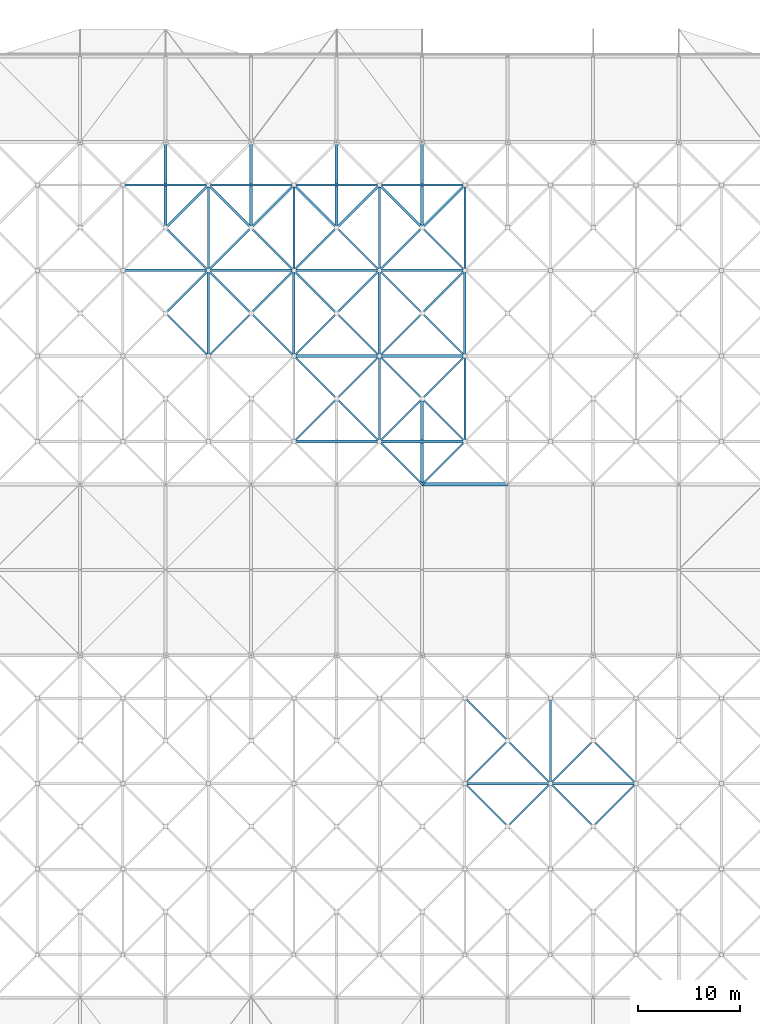
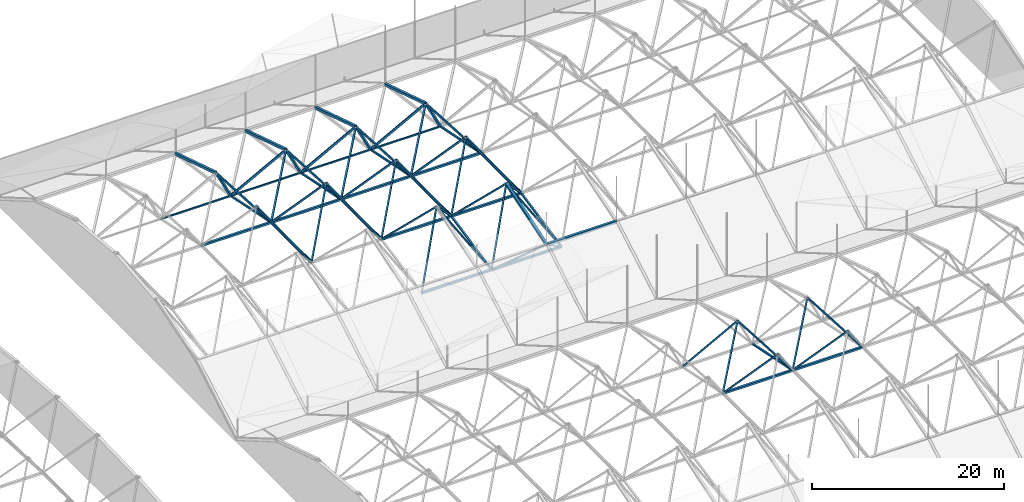
# One storey, part 12 of 111: 78 members.
"""IFC4 building model written with IfcOpenShell, lengths in metres."""

import ifcopenshell
import ifcopenshell.guid

model = None  # the IFC model being written
_history = None  # IfcOwnerHistory: only IFC2X3 demands one
_inside = {}  # id of a spatial element -> (the spatial element, [elements in it])
_under = {}  # id of a project, library or spatial element -> (it, [spatial elements below it])
_declared = {}  # id of a project -> (the project, [libraries it declares])
_typed = {}  # id of a type object -> (the type object, [elements of that type])
_made_of = {}  # id of a material, layer set ... -> (it, [elements and type objects made of it])


def new_model(schema):
    """Start an empty IFC model of exactly this schema.

    Asked for "IFC4X3", IfcOpenShell would pick the latest addendum, in which some entities
    have other attributes; the version numbers below select the first issue.
    IFC2X3 requires an IfcOwnerHistory on every rooted entity: one is made here for all.
    """
    global model, _history
    if schema == "IFC4X3":
        model = ifcopenshell.file(schema_version=(4, 3, 0, 0))
    else:
        model = ifcopenshell.file(schema=schema)
    _inside.clear()
    _under.clear()
    _declared.clear()
    _typed.clear()
    _made_of.clear()
    _history = None
    if model.schema == "IFC2X3":
        org = make("IfcOrganization", Name="unknown")
        user = make(
            "IfcPersonAndOrganization",
            ThePerson=make("IfcPerson", FamilyName="unknown"),
            TheOrganization=org,
        )
        app = make(
            "IfcApplication",
            ApplicationDeveloper=org,
            Version="unknown",
            ApplicationFullName="unknown",
            ApplicationIdentifier="unknown",
        )
        _history = make(
            "IfcOwnerHistory",
            OwningUser=user,
            OwningApplication=app,
            ChangeAction="ADDED",
            CreationDate=0,
        )
    return model


def make(cls, **values):
    """One entity of the class cls with the attributes given. An attribute that is None is left unset."""
    return model.create_entity(
        cls, **{name: value for name, value in values.items() if value is not None}
    )


def rooted(cls, **values):
    """An entity with a GlobalId (a new one), such as an element, a storey or a relation."""
    return make(cls, GlobalId=ifcopenshell.guid.new(), OwnerHistory=_history, **values)


def si_unit(unit_type, name, prefix=None):
    """IfcSIUnit, for example si_unit("LENGTHUNIT", "METRE", prefix="MILLI")."""
    return make("IfcSIUnit", UnitType=unit_type, Prefix=prefix, Name=name)


def assignment(units):
    """IfcUnitAssignment: the units of a project."""
    return None if units is None else make("IfcUnitAssignment", Units=units)


def point(xyz):
    """IfcCartesianPoint."""
    return None if xyz is None else make("IfcCartesianPoint", Coordinates=xyz)


def direction(xyz):
    """IfcDirection."""
    return None if xyz is None else make("IfcDirection", DirectionRatios=xyz)


def frame(location, z_axis=None, x_axis=None):
    """IfcAxis2Placement3D, a coordinate frame: its origin and axes. An axis left out is left unset."""
    return make(
        "IfcAxis2Placement3D",
        Location=point(location),
        Axis=direction(z_axis),
        RefDirection=direction(x_axis),
    )


def frame_2d(location, x_axis=None):
    """IfcAxis2Placement2D, a coordinate frame in the plane: its origin and x axis."""
    return make(
        "IfcAxis2Placement2D", Location=point(location), RefDirection=direction(x_axis)
    )


def origin():
    """The frame at (0, 0, 0) with its axes left unset."""
    return frame((0.0, 0.0, 0.0))


def origin_2d():
    """The frame at (0, 0) in the plane with its x axis left unset."""
    return frame_2d((0.0, 0.0))


def place(relative_to, where):
    """IfcLocalPlacement: puts the frame where relative to a parent placement (None: the world)."""
    return make(
        "IfcLocalPlacement", PlacementRelTo=relative_to, RelativePlacement=where
    )


def context(
    kind, dimensions, precision=None, world=None, true_north=None, identifier=None
):
    """IfcGeometricRepresentationContext, for example the 3D "Model" context."""
    return make(
        "IfcGeometricRepresentationContext",
        ContextIdentifier=identifier,
        ContextType=kind,
        CoordinateSpaceDimension=dimensions,
        Precision=precision,
        WorldCoordinateSystem=world,
        TrueNorth=true_north,
    )


def subcontext(parent, identifier, kind, view, scale=None):
    """IfcGeometricRepresentationSubContext, for example "Body" below "Model"."""
    return make(
        "IfcGeometricRepresentationSubContext",
        ContextIdentifier=identifier,
        ContextType=kind,
        ParentContext=parent,
        TargetScale=scale,
        TargetView=view,
    )


def project(units=None, contexts=None):
    """IfcProject with its units and contexts."""
    return rooted(
        "IfcProject",
        Name="project",
        RepresentationContexts=contexts,
        UnitsInContext=assignment(units),
    )


def spatial(cls, under=None, at=None, **own):
    """A site, building, storey or space (cls), placed at a placement, below another one or the project."""
    s = rooted(cls, ObjectPlacement=at, **own)
    if under is not None:
        _under.setdefault(under.id(), (under, []))[1].append(s)
    return s


def profile(cls, at=None, kind="AREA", **sizes):
    """A parametric profile (cls). Its sizes go by their IFC names, for example OverallWidth=200.0."""
    return make(cls, ProfileType=kind, Position=at, **sizes)


def hollow_rectangle(**sizes):
    """IfcRectangleHollowProfileDef."""
    return profile("IfcRectangleHollowProfileDef", **sizes)


def extrude(swept, where, along, depth):
    """IfcExtrudedAreaSolid: the profile swept, set in the frame where, extruded along a direction by depth."""
    return make(
        "IfcExtrudedAreaSolid",
        SweptArea=swept,
        Position=where,
        ExtrudedDirection=direction(along),
        Depth=depth,
    )


def shape(context_of_items, identifier, shape_type, items):
    """IfcShapeRepresentation: the items that make up one representation, for example the "Body"."""
    return make(
        "IfcShapeRepresentation",
        ContextOfItems=context_of_items,
        RepresentationIdentifier=identifier,
        RepresentationType=shape_type,
        Items=items,
    )


def material(Name=None, Category=None):
    """IfcMaterial."""
    return make("IfcMaterial", Name=Name, Category=Category)


def material_profile(
    of_material, cross_section, Name=None, Category=None, Priority=None
):
    """IfcMaterialProfile: a cross section and its material."""
    return make(
        "IfcMaterialProfile",
        Name=Name,
        Material=of_material,
        Profile=cross_section,
        Priority=Priority,
        Category=Category,
    )


def profile_set(profiles, Name=None, composite=None):
    """IfcMaterialProfileSet."""
    return make(
        "IfcMaterialProfileSet",
        Name=Name,
        MaterialProfiles=profiles,
        CompositeProfile=composite,
    )


def made_of(thing, what):
    """Note that an element or type object is made of a material, layer set ...; save() writes the relation."""
    if what is not None:
        _made_of.setdefault(what.id(), (what, []))[1].append(thing)
    return thing


def type_object(cls, material=None, **own):
    """A type object (cls), such as IfcWallType, which elements share."""
    return made_of(rooted(cls, **own), material)


def element(
    cls,
    number,
    at=None,
    inside=None,
    cuts=None,
    type_object=None,
    material=None,
    context=None,
    identifier="Body",
    shape_type=None,
    held_by="IfcProductDefinitionShape",
    body=None,
    shapes=None,
    **own,
):
    """One element of the class cls, such as IfcWall. Its Tag is "e" and its number.

    at: its placement. inside: the storey or other place that contains it. cuts: it is an
    opening in that element (IfcRelVoidsElement). A single representation is given by context,
    identifier, shape_type and body (its items); several are given by shapes. held_by: the class
    of the entity that holds the representations. save() writes the other relations.
    """
    e = rooted(cls, Tag="e%d" % number, ObjectPlacement=at, **own)
    if body is not None:
        shapes = [shape(context, identifier, shape_type, body)]
    if shapes is not None:
        e.Representation = make(held_by, Representations=shapes)
    if inside is not None:
        _inside.setdefault(inside.id(), (inside, []))[1].append(e)
    if cuts is not None:
        rooted(
            "IfcRelVoidsElement", RelatingBuildingElement=cuts, RelatedOpeningElement=e
        )
    if type_object is not None:
        _typed.setdefault(type_object.id(), (type_object, []))[1].append(e)
    return made_of(e, material)


def aggregate(whole, parts):
    """IfcRelAggregates: a whole, such as a stair, and the parts it consists of."""
    return rooted("IfcRelAggregates", RelatingObject=whole, RelatedObjects=parts)


def save(model, path):
    """Write the relations noted so far, then the file.

    IfcRelAggregates (storeys below a building ...), IfcRelContainedInSpatialStructure (elements
    in a storey), IfcRelDefinesByType, IfcRelAssociatesMaterial and IfcRelDeclares: one each for
    every whole, place, type object, material and project.
    """
    for whole, parts in _under.values():
        aggregate(whole, parts)
    for where, things in _inside.values():
        rooted(
            "IfcRelContainedInSpatialStructure",
            RelatedElements=things,
            RelatingStructure=where,
        )
    for kind, things in _typed.values():
        rooted("IfcRelDefinesByType", RelatedObjects=things, RelatingType=kind)
    for what, things in _made_of.values():
        rooted("IfcRelAssociatesMaterial", RelatedObjects=things, RelatingMaterial=what)
    for by, libraries in _declared.values():
        rooted("IfcRelDeclares", RelatingContext=by, RelatedDefinitions=libraries)
    model.write(path)


model = new_model("IFC4")

# Units and contexts
model_context = context("Model", 3, precision=1e-05, world=origin(), true_north=direction((0.0, 1.0)))
body_context = subcontext(model_context, "Body", "Model", "MODEL_VIEW")
ifc_project = project(units=[si_unit("LENGTHUNIT", "METRE"), si_unit("AREAUNIT", "SQUARE_METRE"), si_unit("VOLUMEUNIT", "CUBIC_METRE"), si_unit("PLANEANGLEUNIT", "RADIAN"), si_unit("MASSUNIT", "GRAM", prefix="KILO")], contexts=[model_context])

# Site, building, storey
site_placement = place(None, origin())
site = spatial("IfcSite", under=ifc_project, at=site_placement, CompositionType="ELEMENT")
building_placement = place(site_placement, origin())
building = spatial("IfcBuilding", under=site, at=building_placement, Name="Rain Tree Exposition and Congress Centre", CompositionType="ELEMENT")
storey_placement = place(building_placement, frame((0.0, 0.0, 19.5)))
storey = spatial("IfcBuildingStorey", under=building, at=storey_placement, Name="RF", CompositionType="ELEMENT", Elevation=19.5)

# Members
ifc_material_1 = material(Name="Steel S355J2H", Category="steel")
ifc_material_profile_1 = material_profile(ifc_material_1, hollow_rectangle(XDim=0.175048828125, YDim=0.175048828125, WallThickness=0.006103515625, at=origin_2d()), Name="RHS 175x175x6")
ifc_profile_set_1 = profile_set([ifc_material_profile_1], Name="Steel S355J2H")
member_type_1 = type_object("IfcMemberType", Name="Steel brace member RHS 175x175x6", PredefinedType="BRACE", material=ifc_profile_set_1)
member_1_placement = place(storey_placement, frame((189.0, 130.199951171875, 2.68896484375), z_axis=(0.494916318018, -0.494916318018, 0.714223827885), x_axis=(0.707106781187, 0.707106781187, 0.0)))
element("IfcMember", 1, at=member_1_placement, inside=storey, type_object=member_type_1, Name="Diagonal 557", PredefinedType="BRACE", context=body_context, shape_type="SweptSolid", body=[
    extrude(hollow_rectangle(XDim=0.175048828125, YDim=0.175048828125, WallThickness=0.006103515625, at=origin_2d()), origin(), (0.0, 0.0, 1.0), 8.486083984375),
])
member_2_placement = place(storey_placement, frame((189.0, 130.199951171875, 2.68896484375), z_axis=(0.531497919506, 0.531497919506, 0.65956040142), x_axis=(-0.707106781187, 0.707106781187, 0.0)))
element("IfcMember", 2, at=member_2_placement, inside=storey, type_object=member_type_1, Name="Diagonal 559", PredefinedType="BRACE", context=body_context, shape_type="SweptSolid", body=[
    extrude(hollow_rectangle(XDim=0.175048828125, YDim=0.175048828125, WallThickness=0.006103515625, at=origin_2d()), origin(), (0.0, 0.0, 1.0), 7.902099609375),
])
member_3_placement = place(storey_placement, frame((197.39990234375, 130.199951171875, 2.68896484375), z_axis=(-0.494916318018, -0.494916318018, 0.714223827885), x_axis=(0.707106781187, -0.707106781187, 0.0)))
element("IfcMember", 3, at=member_3_placement, inside=storey, type_object=member_type_1, Name="Diagonal 562", PredefinedType="BRACE", context=body_context, shape_type="SweptSolid", body=[
    extrude(hollow_rectangle(XDim=0.175048828125, YDim=0.175048828125, WallThickness=0.006103515625, at=origin_2d()), origin(), (0.0, 0.0, 1.0), 8.486083984375),
])
member_4_placement = place(storey_placement, frame((197.39990234375, 130.199951171875, 2.68896484375), z_axis=(0.494938039954, -0.494909271177, 0.714213658445), x_axis=(0.70708622964, 0.707127332136, 0.0)))
element("IfcMember", 4, at=member_4_placement, inside=storey, type_object=member_type_1, Name="Diagonal 563", PredefinedType="BRACE", context=body_context, shape_type="SweptSolid", body=[
    extrude(hollow_rectangle(XDim=0.175048828125, YDim=0.175048828125, WallThickness=0.006103515625, at=origin_2d()), origin(), (0.0, 0.0, 1.0), 8.486328125),
])
member_5_placement = place(storey_placement, frame((197.39990234375, 130.199951171875, 2.68896484375), z_axis=(-0.531497919506, 0.531497919506, 0.65956040142), x_axis=(-0.707106781187, -0.707106781187, 0.0)))
element("IfcMember", 5, at=member_5_placement, inside=storey, type_object=member_type_1, Name="Diagonal 564", PredefinedType="BRACE", context=body_context, shape_type="SweptSolid", body=[
    extrude(hollow_rectangle(XDim=0.175048828125, YDim=0.175048828125, WallThickness=0.006103515625, at=origin_2d()), origin(), (0.0, 0.0, 1.0), 7.902099609375),
])
member_6_placement = place(storey_placement, frame((197.39990234375, 130.199951171875, 2.68896484375), z_axis=(0.531520086899, 0.531489191753, 0.659549570747), x_axis=(-0.70708622964, 0.707127332136, 0.0)))
element("IfcMember", 6, at=member_6_placement, inside=storey, type_object=member_type_1, Name="Diagonal 565", PredefinedType="BRACE", context=body_context, shape_type="SweptSolid", body=[
    extrude(hollow_rectangle(XDim=0.175048828125, YDim=0.175048828125, WallThickness=0.006103515625, at=origin_2d()), origin(), (0.0, 0.0, 1.0), 7.90234375),
])
member_7_placement = place(storey_placement, frame((205.800048828125, 130.199951171875, 2.68896484375), z_axis=(-0.494916318018, -0.494916318018, 0.714223827885), x_axis=(0.707106781187, -0.707106781187, 0.0)))
element("IfcMember", 7, at=member_7_placement, inside=storey, type_object=member_type_1, Name="Diagonal 568", PredefinedType="BRACE", context=body_context, shape_type="SweptSolid", body=[
    extrude(hollow_rectangle(XDim=0.175048828125, YDim=0.175048828125, WallThickness=0.006103515625, at=origin_2d()), origin(), (0.0, 0.0, 1.0), 8.486083984375),
])
member_8_placement = place(storey_placement, frame((205.800048828125, 130.199951171875, 2.68896484375), z_axis=(-0.531497919506, 0.531497919506, 0.65956040142), x_axis=(-0.707106781187, -0.707106781187, 0.0)))
element("IfcMember", 8, at=member_8_placement, inside=storey, type_object=member_type_1, Name="Diagonal 570", PredefinedType="BRACE", context=body_context, shape_type="SweptSolid", body=[
    extrude(hollow_rectangle(XDim=0.175048828125, YDim=0.175048828125, WallThickness=0.006103515625, at=origin_2d()), origin(), (0.0, 0.0, 1.0), 7.902099609375),
])
for number, where, z_axis, x_axis, name in (
    (9, (189.0, 138.60009765625, 0.965087890625), (0.459935103496, -0.459961839245, 0.75953591555), (0.707127332136, 0.70708622964, 0.0), "Diagonal 628"),
    (10, (172.199951171875, 163.800048828125, 0.965087890625), (0.459940759453, 0.459940759453, 0.759545255787), (-0.707106781187, 0.707106781187, 0.0), "Diagonal 831"),
):
    element("IfcMember", number, at=place(storey_placement, frame(where, z_axis=z_axis, x_axis=x_axis)), inside=storey, type_object=member_type_1, Name=name, PredefinedType="BRACE", context=body_context, shape_type="SweptSolid", body=[
        extrude(hollow_rectangle(XDim=0.175048828125, YDim=0.175048828125, WallThickness=0.006103515625, at=origin_2d()), origin(), (0.0, 0.0, 1.0), 9.131591796875),
    ])
member_9_placement = place(storey_placement, frame((180.60009765625, 163.800048828125, 0.965087890625), z_axis=(0.573737145755, -0.573737145755, 0.584509516742), x_axis=(0.707106781187, 0.707106781187, 0.0)))
element("IfcMember", 11, at=member_9_placement, inside=storey, type_object=member_type_1, Name="Diagonal 835", PredefinedType="BRACE", context=body_context, shape_type="SweptSolid", body=[
    extrude(hollow_rectangle(XDim=0.175048828125, YDim=0.175048828125, WallThickness=0.006103515625, at=origin_2d()), origin(), (0.0, 0.0, 1.0), 7.3203125),
])
for number, where, z_axis, x_axis, name in (
    (12, (180.60009765625, 163.800048828125, 0.965087890625), (-0.459961839245, 0.459935103496, 0.75953591555), (-0.70708622964, -0.707127332136, 0.0), "Diagonal 836"),
    (13, (180.60009765625, 163.800048828125, 0.965087890625), (0.459940759453, 0.459940759453, 0.759545255787), (-0.707106781187, 0.707106781187, 0.0), "Diagonal 837"),
):
    element("IfcMember", number, at=place(storey_placement, frame(where, z_axis=z_axis, x_axis=x_axis)), inside=storey, type_object=member_type_1, Name=name, PredefinedType="BRACE", context=body_context, shape_type="SweptSolid", body=[
        extrude(hollow_rectangle(XDim=0.175048828125, YDim=0.175048828125, WallThickness=0.006103515625, at=origin_2d()), origin(), (0.0, 0.0, 1.0), 9.131591796875),
    ])
member_10_placement = place(storey_placement, frame((189.0, 163.800048828125, 0.965087890625), z_axis=(-0.573737145755, -0.573737145755, 0.584509516742), x_axis=(0.707106781187, -0.707106781187, 0.0)))
element("IfcMember", 14, at=member_10_placement, inside=storey, type_object=member_type_1, Name="Diagonal 840", PredefinedType="BRACE", context=body_context, shape_type="SweptSolid", body=[
    extrude(hollow_rectangle(XDim=0.175048828125, YDim=0.175048828125, WallThickness=0.006103515625, at=origin_2d()), origin(), (0.0, 0.0, 1.0), 7.3203125),
])
member_11_placement = place(storey_placement, frame((189.0, 163.800048828125, 0.965087890625), z_axis=(-0.459940759453, 0.459940759453, 0.759545255787), x_axis=(-0.707106781187, -0.707106781187, 0.0)))
element("IfcMember", 15, at=member_11_placement, inside=storey, type_object=member_type_1, Name="Diagonal 842", PredefinedType="BRACE", context=body_context, shape_type="SweptSolid", body=[
    extrude(hollow_rectangle(XDim=0.175048828125, YDim=0.175048828125, WallThickness=0.006103515625, at=origin_2d()), origin(), (0.0, 0.0, 1.0), 9.131591796875),
])
for number, where, z_axis, x_axis, name in (
    (16, (163.800048828125, 172.199951171875, 2.68896484375), (-0.494916318018, 0.494916318018, 0.714223827885), (-0.707106781187, -0.707106781187, 0.0), "Diagonal 895"),
    (17, (163.800048828125, 172.199951171875, 2.68896484375), (0.494916318018, 0.494916318018, 0.714223827885), (-0.707106781187, 0.707106781187, 0.0), "Diagonal 896"),
):
    element("IfcMember", number, at=place(storey_placement, frame(where, z_axis=z_axis, x_axis=x_axis)), inside=storey, type_object=member_type_1, Name=name, PredefinedType="BRACE", context=body_context, shape_type="SweptSolid", body=[
        extrude(hollow_rectangle(XDim=0.175048828125, YDim=0.175048828125, WallThickness=0.006103515625, at=origin_2d()), origin(), (0.0, 0.0, 1.0), 8.486083984375),
    ])
member_12_placement = place(storey_placement, frame((172.199951171875, 172.199951171875, 2.68896484375), z_axis=(0.531497919506, -0.531497919506, 0.65956040142), x_axis=(0.707106781187, 0.707106781187, 0.0)))
element("IfcMember", 18, at=member_12_placement, inside=storey, type_object=member_type_1, Name="Diagonal 900", PredefinedType="BRACE", context=body_context, shape_type="SweptSolid", body=[
    extrude(hollow_rectangle(XDim=0.175048828125, YDim=0.175048828125, WallThickness=0.006103515625, at=origin_2d()), origin(), (0.0, 0.0, 1.0), 7.902099609375),
])
for number, where, z_axis, x_axis, name in (
    (19, (172.199951171875, 172.199951171875, 2.68896484375), (-0.494916318018, 0.494916318018, 0.714223827885), (-0.707106781187, -0.707106781187, 0.0), "Diagonal 901"),
    (20, (172.199951171875, 172.199951171875, 2.68896484375), (0.494916318018, 0.494916318018, 0.714223827885), (-0.707106781187, 0.707106781187, 0.0), "Diagonal 902"),
):
    element("IfcMember", number, at=place(storey_placement, frame(where, z_axis=z_axis, x_axis=x_axis)), inside=storey, type_object=member_type_1, Name=name, PredefinedType="BRACE", context=body_context, shape_type="SweptSolid", body=[
        extrude(hollow_rectangle(XDim=0.175048828125, YDim=0.175048828125, WallThickness=0.006103515625, at=origin_2d()), origin(), (0.0, 0.0, 1.0), 8.486083984375),
    ])
member_13_placement = place(storey_placement, frame((180.60009765625, 172.199951171875, 2.68896484375), z_axis=(-0.531520086899, -0.531489191753, 0.659549570747), x_axis=(0.70708622964, -0.707127332136, 0.0)))
element("IfcMember", 21, at=member_13_placement, inside=storey, type_object=member_type_1, Name="Diagonal 905", PredefinedType="BRACE", context=body_context, shape_type="SweptSolid", body=[
    extrude(hollow_rectangle(XDim=0.175048828125, YDim=0.175048828125, WallThickness=0.006103515625, at=origin_2d()), origin(), (0.0, 0.0, 1.0), 7.90234375),
])
member_14_placement = place(storey_placement, frame((180.60009765625, 172.199951171875, 2.68896484375), z_axis=(0.531497919506, -0.531497919506, 0.65956040142), x_axis=(0.707106781187, 0.707106781187, 0.0)))
element("IfcMember", 22, at=member_14_placement, inside=storey, type_object=member_type_1, Name="Diagonal 906", PredefinedType="BRACE", context=body_context, shape_type="SweptSolid", body=[
    extrude(hollow_rectangle(XDim=0.175048828125, YDim=0.175048828125, WallThickness=0.006103515625, at=origin_2d()), origin(), (0.0, 0.0, 1.0), 7.902099609375),
])
member_15_placement = place(storey_placement, frame((180.60009765625, 172.199951171875, 2.68896484375), z_axis=(-0.494938039954, 0.494909271177, 0.714213658445), x_axis=(-0.70708622964, -0.707127332136, 0.0)))
element("IfcMember", 23, at=member_15_placement, inside=storey, type_object=member_type_1, Name="Diagonal 907", PredefinedType="BRACE", context=body_context, shape_type="SweptSolid", body=[
    extrude(hollow_rectangle(XDim=0.175048828125, YDim=0.175048828125, WallThickness=0.006103515625, at=origin_2d()), origin(), (0.0, 0.0, 1.0), 8.486328125),
])
member_16_placement = place(storey_placement, frame((180.60009765625, 172.199951171875, 2.68896484375), z_axis=(0.494916318018, 0.494916318018, 0.714223827885), x_axis=(-0.707106781187, 0.707106781187, 0.0)))
element("IfcMember", 24, at=member_16_placement, inside=storey, type_object=member_type_1, Name="Diagonal 908", PredefinedType="BRACE", context=body_context, shape_type="SweptSolid", body=[
    extrude(hollow_rectangle(XDim=0.175048828125, YDim=0.175048828125, WallThickness=0.006103515625, at=origin_2d()), origin(), (0.0, 0.0, 1.0), 8.486083984375),
])
member_17_placement = place(storey_placement, frame((189.0, 172.199951171875, 2.68896484375), z_axis=(-0.531497919506, -0.531497919506, 0.65956040142), x_axis=(0.707106781187, -0.707106781187, 0.0)))
element("IfcMember", 25, at=member_17_placement, inside=storey, type_object=member_type_1, Name="Diagonal 911", PredefinedType="BRACE", context=body_context, shape_type="SweptSolid", body=[
    extrude(hollow_rectangle(XDim=0.175048828125, YDim=0.175048828125, WallThickness=0.006103515625, at=origin_2d()), origin(), (0.0, 0.0, 1.0), 7.902099609375),
])
member_18_placement = place(storey_placement, frame((189.0, 172.199951171875, 2.68896484375), z_axis=(-0.494916318018, 0.494916318018, 0.714223827885), x_axis=(-0.707106781187, -0.707106781187, 0.0)))
element("IfcMember", 26, at=member_18_placement, inside=storey, type_object=member_type_1, Name="Diagonal 913", PredefinedType="BRACE", context=body_context, shape_type="SweptSolid", body=[
    extrude(hollow_rectangle(XDim=0.175048828125, YDim=0.175048828125, WallThickness=0.006103515625, at=origin_2d()), origin(), (0.0, 0.0, 1.0), 8.486083984375),
])
ifc_material_2 = material(Name="Steel S355J2H", Category="steel")
ifc_material_profile_2 = material_profile(ifc_material_2, hollow_rectangle(XDim=0.199951171875, YDim=0.199951171875, WallThickness=0.009033203125, at=origin_2d()), Name="RHS 200x200x9")
ifc_profile_set_2 = profile_set([ifc_material_profile_2], Name="Steel S355J2H")
member_type_2 = type_object("IfcMemberType", Name="Steel brace member RHS 200x200x9", PredefinedType="BRACE", material=ifc_profile_set_2)
for number, where, z_axis, x_axis, name in (
    (27, (163.800048828125, 180.60009765625, 2.68896484375), (-0.494909271177, -0.494938039954, 0.714213658445), (0.707127332136, -0.70708622964, 0.0), "Diagonal 964"),
    (28, (163.800048828125, 180.60009765625, 2.68896484375), (0.494909271177, -0.494938039954, 0.714213658445), (0.707127332136, 0.70708622964, 0.0), "Diagonal 965"),
):
    element("IfcMember", number, at=place(storey_placement, frame(where, z_axis=z_axis, x_axis=x_axis)), inside=storey, type_object=member_type_2, Name=name, PredefinedType="BRACE", context=body_context, shape_type="SweptSolid", body=[
        extrude(hollow_rectangle(XDim=0.199951171875, YDim=0.199951171875, WallThickness=0.009033203125, at=origin_2d()), origin(), (0.0, 0.0, 1.0), 8.486328125),
    ])
for number, where, z_axis, x_axis, name in (
    (29, (163.800048828125, 180.60009765625, 2.68896484375), (-0.531497919506, 0.531497919506, 0.65956040142), (-0.707106781187, -0.707106781187, 0.0), "Diagonal 966"),
    (30, (163.800048828125, 180.60009765625, 2.68896484375), (0.531497919506, 0.531497919506, 0.65956040142), (-0.707106781187, 0.707106781187, 0.0), "Diagonal 967"),
):
    element("IfcMember", number, at=place(storey_placement, frame(where, z_axis=z_axis, x_axis=x_axis)), inside=storey, type_object=member_type_2, Name=name, PredefinedType="BRACE", context=body_context, shape_type="SweptSolid", body=[
        extrude(hollow_rectangle(XDim=0.199951171875, YDim=0.199951171875, WallThickness=0.009033203125, at=origin_2d()), origin(), (0.0, 0.0, 1.0), 7.902099609375),
    ])
for number, where, z_axis, x_axis, name in (
    (31, (172.199951171875, 180.60009765625, 2.68896484375), (-0.494909271177, -0.494938039954, 0.714213658445), (0.707127332136, -0.70708622964, 0.0), "Diagonal 970"),
    (32, (172.199951171875, 180.60009765625, 2.68896484375), (0.494909271177, -0.494938039954, 0.714213658445), (0.707127332136, 0.70708622964, 0.0), "Diagonal 971"),
):
    element("IfcMember", number, at=place(storey_placement, frame(where, z_axis=z_axis, x_axis=x_axis)), inside=storey, type_object=member_type_2, Name=name, PredefinedType="BRACE", context=body_context, shape_type="SweptSolid", body=[
        extrude(hollow_rectangle(XDim=0.199951171875, YDim=0.199951171875, WallThickness=0.009033203125, at=origin_2d()), origin(), (0.0, 0.0, 1.0), 8.486328125),
    ])
for number, where, z_axis, x_axis, name in (
    (33, (172.199951171875, 180.60009765625, 2.68896484375), (-0.531497919506, 0.531497919506, 0.65956040142), (-0.707106781187, -0.707106781187, 0.0), "Diagonal 972"),
    (34, (172.199951171875, 180.60009765625, 2.68896484375), (0.531497919506, 0.531497919506, 0.65956040142), (-0.707106781187, 0.707106781187, 0.0), "Diagonal 973"),
):
    element("IfcMember", number, at=place(storey_placement, frame(where, z_axis=z_axis, x_axis=x_axis)), inside=storey, type_object=member_type_2, Name=name, PredefinedType="BRACE", context=body_context, shape_type="SweptSolid", body=[
        extrude(hollow_rectangle(XDim=0.199951171875, YDim=0.199951171875, WallThickness=0.009033203125, at=origin_2d()), origin(), (0.0, 0.0, 1.0), 7.902099609375),
    ])
for number, where, z_axis, x_axis, name in (
    (35, (180.60009765625, 180.60009765625, 2.68896484375), (-0.494930993004, -0.494930993004, 0.71420348944), (0.707106781187, -0.707106781187, 0.0), "Diagonal 976"),
    (36, (180.60009765625, 180.60009765625, 2.68896484375), (0.494909271177, -0.494938039954, 0.714213658445), (0.707127332136, 0.70708622964, 0.0), "Diagonal 977"),
):
    element("IfcMember", number, at=place(storey_placement, frame(where, z_axis=z_axis, x_axis=x_axis)), inside=storey, type_object=member_type_2, Name=name, PredefinedType="BRACE", context=body_context, shape_type="SweptSolid", body=[
        extrude(hollow_rectangle(XDim=0.199951171875, YDim=0.199951171875, WallThickness=0.009033203125, at=origin_2d()), origin(), (0.0, 0.0, 1.0), 8.486328125),
    ])
member_19_placement = place(storey_placement, frame((180.60009765625, 180.60009765625, 2.68896484375), z_axis=(-0.531520086899, 0.531489191753, 0.659549570747), x_axis=(-0.70708622964, -0.707127332136, 0.0)))
element("IfcMember", 37, at=member_19_placement, inside=storey, type_object=member_type_2, Name="Diagonal 978", PredefinedType="BRACE", context=body_context, shape_type="SweptSolid", body=[
    extrude(hollow_rectangle(XDim=0.199951171875, YDim=0.199951171875, WallThickness=0.009033203125, at=origin_2d()), origin(), (0.0, 0.0, 1.0), 7.90234375),
])
member_20_placement = place(storey_placement, frame((180.60009765625, 180.60009765625, 2.68896484375), z_axis=(0.531497919506, 0.531497919506, 0.65956040142), x_axis=(-0.707106781187, 0.707106781187, 0.0)))
element("IfcMember", 38, at=member_20_placement, inside=storey, type_object=member_type_2, Name="Diagonal 979", PredefinedType="BRACE", context=body_context, shape_type="SweptSolid", body=[
    extrude(hollow_rectangle(XDim=0.199951171875, YDim=0.199951171875, WallThickness=0.009033203125, at=origin_2d()), origin(), (0.0, 0.0, 1.0), 7.902099609375),
])
member_21_placement = place(storey_placement, frame((189.0, 180.60009765625, 2.68896484375), z_axis=(-0.494909271177, -0.494938039954, 0.714213658445), x_axis=(0.707127332136, -0.70708622964, 0.0)))
element("IfcMember", 39, at=member_21_placement, inside=storey, type_object=member_type_2, Name="Diagonal 982", PredefinedType="BRACE", context=body_context, shape_type="SweptSolid", body=[
    extrude(hollow_rectangle(XDim=0.199951171875, YDim=0.199951171875, WallThickness=0.009033203125, at=origin_2d()), origin(), (0.0, 0.0, 1.0), 8.486328125),
])
member_22_placement = place(storey_placement, frame((189.0, 180.60009765625, 2.68896484375), z_axis=(-0.531497919506, 0.531497919506, 0.65956040142), x_axis=(-0.707106781187, -0.707106781187, 0.0)))
element("IfcMember", 40, at=member_22_placement, inside=storey, type_object=member_type_2, Name="Diagonal 984", PredefinedType="BRACE", context=body_context, shape_type="SweptSolid", body=[
    extrude(hollow_rectangle(XDim=0.199951171875, YDim=0.199951171875, WallThickness=0.009033203125, at=origin_2d()), origin(), (0.0, 0.0, 1.0), 7.902099609375),
])
ifc_material_3 = material(Name="Steel S355J2H", Category="steel")
ifc_material_profile_3 = material_profile(ifc_material_3, hollow_rectangle(XDim=0.25, YDim=0.25, WallThickness=0.006103515625, at=origin_2d()), Name="RHS 250x250x6")
ifc_profile_set_3 = profile_set([ifc_material_profile_3], Name="Steel S355J2H")
member_type_3 = type_object("IfcMemberType", Name="Steel brace member RHS 250x250x6", PredefinedType="BRACE", material=ifc_profile_set_3)
for number, where, z_axis, x_axis, name in (
    (41, (163.800048828125, 189.0, 0.965087890625), (-0.459940759453, -0.459940759453, 0.759545255787), (0.707106781187, -0.707106781187, 0.0), "Diagonal 1035"),
    (42, (163.800048828125, 189.0, 0.965087890625), (0.459940759453, -0.459940759453, 0.759545255787), (0.707106781187, 0.707106781187, 0.0), "Diagonal 1036"),
    (43, (172.199951171875, 189.0, 0.965087890625), (-0.459940759453, -0.459940759453, 0.759545255787), (0.707106781187, -0.707106781187, 0.0), "Diagonal 1041"),
    (44, (172.199951171875, 189.0, 0.965087890625), (0.459940759453, -0.459940759453, 0.759545255787), (0.707106781187, 0.707106781187, 0.0), "Diagonal 1042"),
    (45, (180.60009765625, 189.0, 0.965087890625), (-0.459961839245, -0.459935103496, 0.75953591555), (0.70708622964, -0.707127332136, 0.0), "Diagonal 1047"),
    (46, (180.60009765625, 189.0, 0.965087890625), (0.459940759453, -0.459940759453, 0.759545255787), (0.707106781187, 0.707106781187, 0.0), "Diagonal 1048"),
    (47, (189.0, 189.0, 0.965087890625), (-0.459940759453, -0.459940759453, 0.759545255787), (0.707106781187, -0.707106781187, 0.0), "Diagonal 1053"),
):
    element("IfcMember", number, at=place(storey_placement, frame(where, z_axis=z_axis, x_axis=x_axis)), inside=storey, type_object=member_type_3, Name=name, PredefinedType="BRACE", context=body_context, shape_type="SweptSolid", body=[
        extrude(hollow_rectangle(XDim=0.25, YDim=0.25, WallThickness=0.006103515625, at=origin_2d()), origin(), (0.0, 0.0, 1.0), 9.131591796875),
    ])
ifc_material_4 = material(Name="Steel S355J2H", Category="steel")
ifc_material_profile_4 = material_profile(ifc_material_4, hollow_rectangle(XDim=0.175048828125, YDim=0.175048828125, WallThickness=0.006103515625, at=origin_2d()), Name="RHS 175x175x6")
ifc_profile_set_4 = profile_set([ifc_material_profile_4], Name="Steel S355J2H")
member_type_4 = type_object("IfcMemberType", Name="Steel chord member RHS 175x175x6", PredefinedType="CHORD", material=ifc_profile_set_4)
member_23_placement = place(storey_placement, frame((155.39990234375, 189.0, 0.965087890625), z_axis=(1.0, 0.0, 0.0), x_axis=(0.0, 1.0, 0.0)))
element("IfcMember", 48, at=member_23_placement, inside=storey, type_object=member_type_4, Name="Bottom chord 1033", PredefinedType="CHORD", context=body_context, shape_type="SweptSolid", body=[
    extrude(hollow_rectangle(XDim=0.175048828125, YDim=0.175048828125, WallThickness=0.006103515625, at=origin_2d()), origin(), (0.0, 0.0, 1.0), 8.400146484375),
])
member_24_placement = place(storey_placement, frame((163.800048828125, 189.0, 0.965087890625), z_axis=(1.0, 0.0, 0.0), x_axis=(0.0, 1.0, 0.0)))
element("IfcMember", 49, at=member_24_placement, inside=storey, type_object=member_type_4, Name="Bottom chord 1039", PredefinedType="CHORD", context=body_context, shape_type="SweptSolid", body=[
    extrude(hollow_rectangle(XDim=0.175048828125, YDim=0.175048828125, WallThickness=0.006103515625, at=origin_2d()), origin(), (0.0, 0.0, 1.0), 8.39990234375),
])
member_25_placement = place(storey_placement, frame((172.199951171875, 189.0, 0.965087890625), z_axis=(1.0, 0.0, 0.0), x_axis=(0.0, 1.0, 0.0)))
element("IfcMember", 50, at=member_25_placement, inside=storey, type_object=member_type_4, Name="Bottom chord 1045", PredefinedType="CHORD", context=body_context, shape_type="SweptSolid", body=[
    extrude(hollow_rectangle(XDim=0.175048828125, YDim=0.175048828125, WallThickness=0.006103515625, at=origin_2d()), origin(), (0.0, 0.0, 1.0), 8.400146484375),
])
member_26_placement = place(storey_placement, frame((180.60009765625, 189.0, 0.965087890625), z_axis=(1.0, 0.0, 0.0), x_axis=(0.0, 1.0, 0.0)))
element("IfcMember", 51, at=member_26_placement, inside=storey, type_object=member_type_4, Name="Bottom chord 1051", PredefinedType="CHORD", context=body_context, shape_type="SweptSolid", body=[
    extrude(hollow_rectangle(XDim=0.175048828125, YDim=0.175048828125, WallThickness=0.006103515625, at=origin_2d()), origin(), (0.0, 0.0, 1.0), 8.39990234375),
])
ifc_material_5 = material(Name="Steel S355J2H", Category="steel")
ifc_material_profile_5 = material_profile(ifc_material_5, hollow_rectangle(XDim=0.199951171875, YDim=0.199951171875, WallThickness=0.009033203125, at=origin_2d()), Name="RHS 200x200x9")
ifc_profile_set_5 = profile_set([ifc_material_profile_5], Name="Steel S355J2H")
member_type_5 = type_object("IfcMemberType", Name="Steel chord member RHS 200x200x9", PredefinedType="CHORD", material=ifc_profile_set_5)
member_27_placement = place(storey_placement, frame((197.39990234375, 130.199951171875, 2.68896484375), z_axis=(0.0, 0.979585021781, -0.201030308914), x_axis=(-1.0, 0.0, 0.0)))
element("IfcMember", 52, at=member_27_placement, inside=storey, type_object=member_type_5, Name="Bottom chord 567", PredefinedType="CHORD", context=body_context, shape_type="SweptSolid", body=[
    extrude(hollow_rectangle(XDim=0.199951171875, YDim=0.199951171875, WallThickness=0.009033203125, at=origin_2d()), origin(), (0.0, 0.0, 1.0), 8.5751953125),
])
for number, where, z_axis, x_axis, name in (
    (53, (180.60009765625, 163.800048828125, 0.965087890625), (0.0, 0.979583871149, 0.20103591566), (-1.0, 0.0, 0.0), "Bottom chord 839"),
    (54, (189.0, 163.800048828125, 0.965087890625), (0.0, 0.979583871149, 0.20103591566), (-1.0, 0.0, 0.0), "Bottom chord 845"),
    (55, (163.800048828125, 180.60009765625, 2.68896484375), (0.0, 0.979583871149, -0.20103591566), (-1.0, 0.0, 0.0), "Bottom chord 969"),
    (56, (172.199951171875, 180.60009765625, 2.68896484375), (0.0, 0.979583871149, -0.20103591566), (-1.0, 0.0, 0.0), "Bottom chord 975"),
    (57, (180.60009765625, 180.60009765625, 2.68896484375), (0.0, 0.979583871149, -0.20103591566), (-1.0, 0.0, 0.0), "Bottom chord 981"),
    (58, (189.0, 180.60009765625, 2.68896484375), (0.0, 0.979583871149, -0.20103591566), (-1.0, 0.0, 0.0), "Bottom chord 987"),
):
    element("IfcMember", number, at=place(storey_placement, frame(where, z_axis=z_axis, x_axis=x_axis)), inside=storey, type_object=member_type_5, Name=name, PredefinedType="CHORD", context=body_context, shape_type="SweptSolid", body=[
        extrude(hollow_rectangle(XDim=0.199951171875, YDim=0.199951171875, WallThickness=0.009033203125, at=origin_2d()), origin(), (0.0, 0.0, 1.0), 8.574951171875),
    ])
ifc_material_6 = material(Name="Steel S355J2H", Category="steel")
ifc_material_profile_6 = material_profile(ifc_material_6, hollow_rectangle(XDim=0.25, YDim=0.25, WallThickness=0.006103515625, at=origin_2d()), Name="RHS 250x250x6")
ifc_profile_set_6 = profile_set([ifc_material_profile_6], Name="Steel S355J2H")
member_type_6 = type_object("IfcMemberType", Name="Steel chord member RHS 250x250x6", PredefinedType="CHORD", material=ifc_profile_set_6)
member_28_placement = place(storey_placement, frame((189.0, 130.199951171875, 2.68896484375), z_axis=(1.0, 0.0, 0.0), x_axis=(0.0, 1.0, 0.0)))
element("IfcMember", 59, at=member_28_placement, inside=storey, type_object=member_type_6, Name="Bottom chord 560", PredefinedType="CHORD", context=body_context, shape_type="SweptSolid", body=[
    extrude(hollow_rectangle(XDim=0.25, YDim=0.25, WallThickness=0.006103515625, at=origin_2d()), origin(), (0.0, 0.0, 1.0), 8.39990234375),
])
for number, where, z_axis, x_axis, name in (
    (60, (197.39990234375, 130.199951171875, 2.68896484375), (1.0, 0.0, 0.0), (0.0, 1.0, 0.0), "Bottom chord 566"),
    (61, (172.199951171875, 163.800048828125, 0.965087890625), (1.0, 0.0, 0.0), (0.0, 1.0, 0.0), "Bottom chord 832"),
):
    element("IfcMember", number, at=place(storey_placement, frame(where, z_axis=z_axis, x_axis=x_axis)), inside=storey, type_object=member_type_6, Name=name, PredefinedType="CHORD", context=body_context, shape_type="SweptSolid", body=[
        extrude(hollow_rectangle(XDim=0.25, YDim=0.25, WallThickness=0.006103515625, at=origin_2d()), origin(), (0.0, 0.0, 1.0), 8.400146484375),
    ])
member_29_placement = place(storey_placement, frame((180.60009765625, 163.800048828125, 0.965087890625), z_axis=(1.0, 0.0, 0.0), x_axis=(0.0, 1.0, 0.0)))
element("IfcMember", 62, at=member_29_placement, inside=storey, type_object=member_type_6, Name="Bottom chord 838", PredefinedType="CHORD", context=body_context, shape_type="SweptSolid", body=[
    extrude(hollow_rectangle(XDim=0.25, YDim=0.25, WallThickness=0.006103515625, at=origin_2d()), origin(), (0.0, 0.0, 1.0), 8.39990234375),
])
for number, where, z_axis, x_axis, name in (
    (63, (163.800048828125, 172.199951171875, 2.68896484375), (0.0, 1.0, 0.0), (-1.0, 0.0, 0.0), "Bottom chord 898"),
    (64, (172.199951171875, 172.199951171875, 2.68896484375), (1.0, 0.0, 0.0), (0.0, 1.0, 0.0), "Bottom chord 903"),
    (65, (172.199951171875, 172.199951171875, 2.68896484375), (0.0, 1.0, 0.0), (-1.0, 0.0, 0.0), "Bottom chord 904"),
):
    element("IfcMember", number, at=place(storey_placement, frame(where, z_axis=z_axis, x_axis=x_axis)), inside=storey, type_object=member_type_6, Name=name, PredefinedType="CHORD", context=body_context, shape_type="SweptSolid", body=[
        extrude(hollow_rectangle(XDim=0.25, YDim=0.25, WallThickness=0.006103515625, at=origin_2d()), origin(), (0.0, 0.0, 1.0), 8.400146484375),
    ])
member_30_placement = place(storey_placement, frame((180.60009765625, 172.199951171875, 2.68896484375), z_axis=(1.0, 0.0, 0.0), x_axis=(0.0, 1.0, 0.0)))
element("IfcMember", 66, at=member_30_placement, inside=storey, type_object=member_type_6, Name="Bottom chord 909", PredefinedType="CHORD", context=body_context, shape_type="SweptSolid", body=[
    extrude(hollow_rectangle(XDim=0.25, YDim=0.25, WallThickness=0.006103515625, at=origin_2d()), origin(), (0.0, 0.0, 1.0), 8.39990234375),
])
for number, where, z_axis, x_axis, name in (
    (67, (180.60009765625, 172.199951171875, 2.68896484375), (0.0, 1.0, 0.0), (-1.0, 0.0, 0.0), "Bottom chord 910"),
    (68, (189.0, 172.199951171875, 2.68896484375), (0.0, 1.0, 0.0), (-1.0, 0.0, 0.0), "Bottom chord 916"),
    (69, (155.39990234375, 180.60009765625, 2.68896484375), (1.0, 0.0, 0.0), (0.0, 1.0, 0.0), "Bottom chord 962"),
):
    element("IfcMember", number, at=place(storey_placement, frame(where, z_axis=z_axis, x_axis=x_axis)), inside=storey, type_object=member_type_6, Name=name, PredefinedType="CHORD", context=body_context, shape_type="SweptSolid", body=[
        extrude(hollow_rectangle(XDim=0.25, YDim=0.25, WallThickness=0.006103515625, at=origin_2d()), origin(), (0.0, 0.0, 1.0), 8.400146484375),
    ])
member_31_placement = place(storey_placement, frame((163.800048828125, 180.60009765625, 2.68896484375), z_axis=(1.0, 0.0, 0.0), x_axis=(0.0, 1.0, 0.0)))
element("IfcMember", 70, at=member_31_placement, inside=storey, type_object=member_type_6, Name="Bottom chord 968", PredefinedType="CHORD", context=body_context, shape_type="SweptSolid", body=[
    extrude(hollow_rectangle(XDim=0.25, YDim=0.25, WallThickness=0.006103515625, at=origin_2d()), origin(), (0.0, 0.0, 1.0), 8.39990234375),
])
member_32_placement = place(storey_placement, frame((172.199951171875, 180.60009765625, 2.68896484375), z_axis=(1.0, 0.0, 0.0), x_axis=(0.0, 1.0, 0.0)))
element("IfcMember", 71, at=member_32_placement, inside=storey, type_object=member_type_6, Name="Bottom chord 974", PredefinedType="CHORD", context=body_context, shape_type="SweptSolid", body=[
    extrude(hollow_rectangle(XDim=0.25, YDim=0.25, WallThickness=0.006103515625, at=origin_2d()), origin(), (0.0, 0.0, 1.0), 8.400146484375),
])
member_33_placement = place(storey_placement, frame((180.60009765625, 180.60009765625, 2.68896484375), z_axis=(1.0, 0.0, 0.0), x_axis=(0.0, 1.0, 0.0)))
element("IfcMember", 72, at=member_33_placement, inside=storey, type_object=member_type_6, Name="Bottom chord 980", PredefinedType="CHORD", context=body_context, shape_type="SweptSolid", body=[
    extrude(hollow_rectangle(XDim=0.25, YDim=0.25, WallThickness=0.006103515625, at=origin_2d()), origin(), (0.0, 0.0, 1.0), 8.39990234375),
])
ifc_material_7 = material(Name="Steel S355J2H", Category="steel")
ifc_material_profile_7 = material_profile(ifc_material_7, hollow_rectangle(XDim=0.300048828125, YDim=0.300048828125, WallThickness=0.009033203125, at=origin_2d()), Name="RHS 300x300x9")
ifc_profile_set_7 = profile_set([ifc_material_profile_7], Name="Steel S355J2H")
member_type_7 = type_object("IfcMemberType", Name="Steel chord member RHS 300x300x9", PredefinedType="CHORD", material=ifc_profile_set_7)
member_34_placement = place(storey_placement, frame((184.800048828125, 159.60009765625, 5.243896484375), z_axis=(1.0, 0.0, 0.0), x_axis=(0.0, 1.0, 0.0)))
element("IfcMember", 73, at=member_34_placement, inside=storey, type_object=member_type_7, Name="Top chord 90", PredefinedType="CHORD", context=body_context, shape_type="SweptSolid", body=[
    extrude(hollow_rectangle(XDim=0.300048828125, YDim=0.300048828125, WallThickness=0.009033203125, at=origin_2d()), origin(), (0.0, 0.0, 1.0), 8.39990234375),
])
for number, where, z_axis, x_axis, name in (
    (74, (159.60009765625, 184.800048828125, 7.90087890625), (0.0, 0.953439742772, -0.301583581951), (-1.0, 0.0, 0.0), "Top chord 191"),
    (75, (168.0, 184.800048828125, 7.90087890625), (0.0, 0.953439742772, -0.301583581951), (-1.0, 0.0, 0.0), "Top chord 203"),
    (76, (176.39990234375, 184.800048828125, 7.90087890625), (0.0, 0.953439742772, -0.301583581951), (-1.0, 0.0, 0.0), "Top chord 215"),
    (77, (184.800048828125, 159.60009765625, 5.243896484375), (0.0, 0.953439742772, 0.301583581951), (-1.0, 0.0, 0.0), "Top chord 224"),
    (78, (184.800048828125, 184.800048828125, 7.90087890625), (0.0, 0.953439742772, -0.301583581951), (-1.0, 0.0, 0.0), "Top chord 227"),
):
    element("IfcMember", number, at=place(storey_placement, frame(where, z_axis=z_axis, x_axis=x_axis)), inside=storey, type_object=member_type_7, Name=name, PredefinedType="CHORD", context=body_context, shape_type="SweptSolid", body=[
        extrude(hollow_rectangle(XDim=0.300048828125, YDim=0.300048828125, WallThickness=0.009033203125, at=origin_2d()), origin(), (0.0, 0.0, 1.0), 8.81005859375),
    ])

save(model, "model.ifc")
